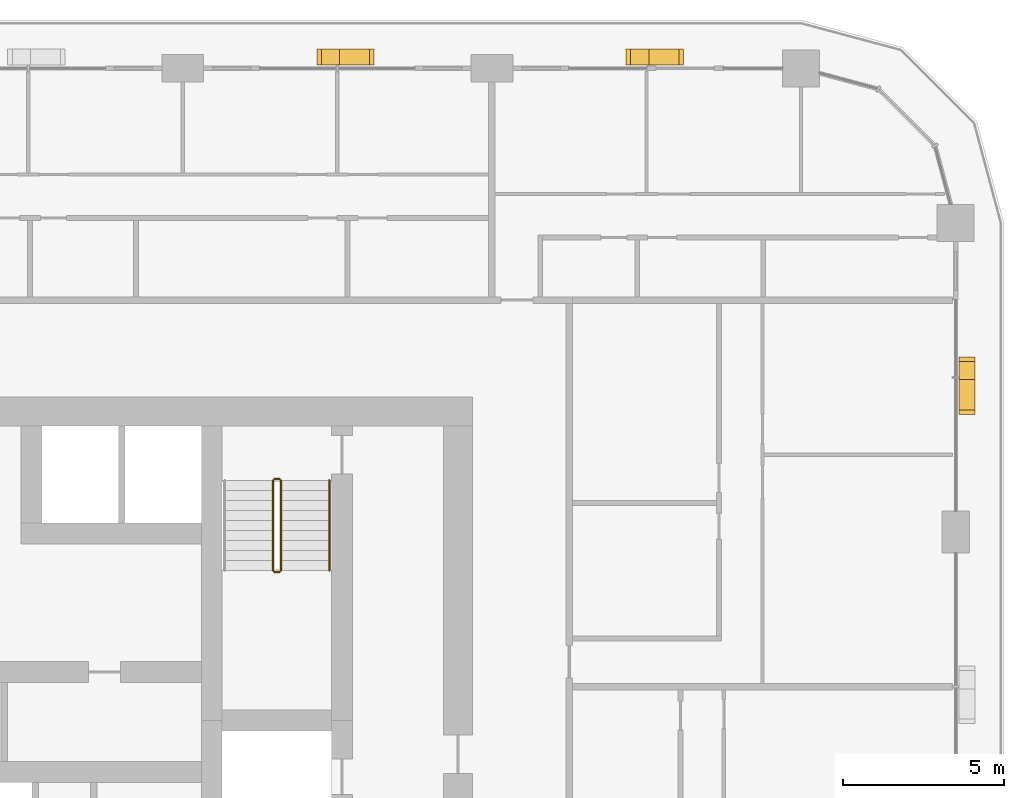
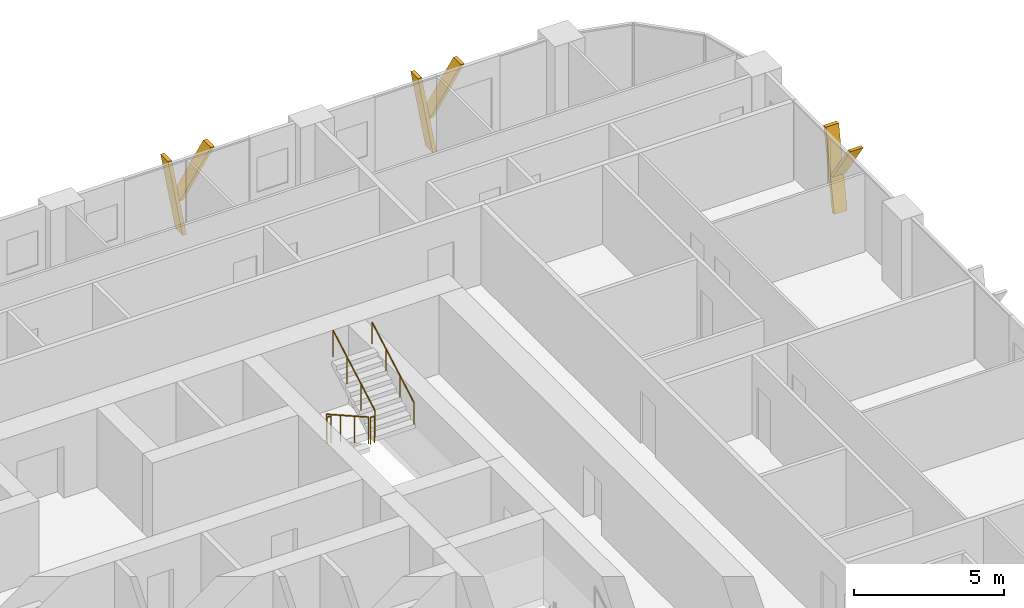
# One storey, part 22 of 22: 6 shading devices, 5 railings.
"""IFC4 building model written with IfcOpenShell, lengths in metres."""

import ifcopenshell
import ifcopenshell.guid

model = None  # the IFC model being written
_history = None  # IfcOwnerHistory: only IFC2X3 demands one
_inside = {}  # id of a spatial element -> (the spatial element, [elements in it])
_under = {}  # id of a project, library or spatial element -> (it, [spatial elements below it])
_declared = {}  # id of a project -> (the project, [libraries it declares])
_typed = {}  # id of a type object -> (the type object, [elements of that type])
_made_of = {}  # id of a material, layer set ... -> (it, [elements and type objects made of it])


def new_model(schema):
    """Start an empty IFC model of exactly this schema.

    Asked for "IFC4X3", IfcOpenShell would pick the latest addendum, in which some entities
    have other attributes; the version numbers below select the first issue.
    IFC2X3 requires an IfcOwnerHistory on every rooted entity: one is made here for all.
    """
    global model, _history
    if schema == "IFC4X3":
        model = ifcopenshell.file(schema_version=(4, 3, 0, 0))
    else:
        model = ifcopenshell.file(schema=schema)
    _inside.clear()
    _under.clear()
    _declared.clear()
    _typed.clear()
    _made_of.clear()
    _history = None
    if model.schema == "IFC2X3":
        org = make("IfcOrganization", Name="unknown")
        user = make(
            "IfcPersonAndOrganization",
            ThePerson=make("IfcPerson", FamilyName="unknown"),
            TheOrganization=org,
        )
        app = make(
            "IfcApplication",
            ApplicationDeveloper=org,
            Version="unknown",
            ApplicationFullName="unknown",
            ApplicationIdentifier="unknown",
        )
        _history = make(
            "IfcOwnerHistory",
            OwningUser=user,
            OwningApplication=app,
            ChangeAction="ADDED",
            CreationDate=0,
        )
    return model


def make(cls, **values):
    """One entity of the class cls with the attributes given. An attribute that is None is left unset."""
    return model.create_entity(
        cls, **{name: value for name, value in values.items() if value is not None}
    )


def rooted(cls, **values):
    """An entity with a GlobalId (a new one), such as an element, a storey or a relation."""
    return make(cls, GlobalId=ifcopenshell.guid.new(), OwnerHistory=_history, **values)


def si_unit(unit_type, name, prefix=None):
    """IfcSIUnit, for example si_unit("LENGTHUNIT", "METRE", prefix="MILLI")."""
    return make("IfcSIUnit", UnitType=unit_type, Prefix=prefix, Name=name)


def assignment(units):
    """IfcUnitAssignment: the units of a project."""
    return None if units is None else make("IfcUnitAssignment", Units=units)


def point(xyz):
    """IfcCartesianPoint."""
    return None if xyz is None else make("IfcCartesianPoint", Coordinates=xyz)


def direction(xyz):
    """IfcDirection."""
    return None if xyz is None else make("IfcDirection", DirectionRatios=xyz)


def frame(location, z_axis=None, x_axis=None):
    """IfcAxis2Placement3D, a coordinate frame: its origin and axes. An axis left out is left unset."""
    return make(
        "IfcAxis2Placement3D",
        Location=point(location),
        Axis=direction(z_axis),
        RefDirection=direction(x_axis),
    )


def frame_2d(location, x_axis=None):
    """IfcAxis2Placement2D, a coordinate frame in the plane: its origin and x axis."""
    return make(
        "IfcAxis2Placement2D", Location=point(location), RefDirection=direction(x_axis)
    )


def origin():
    """The frame at (0, 0, 0) with its axes left unset."""
    return frame((0.0, 0.0, 0.0))


def origin_2d():
    """The frame at (0, 0) in the plane with its x axis left unset."""
    return frame_2d((0.0, 0.0))


def place(relative_to, where):
    """IfcLocalPlacement: puts the frame where relative to a parent placement (None: the world)."""
    return make(
        "IfcLocalPlacement", PlacementRelTo=relative_to, RelativePlacement=where
    )


def context(
    kind, dimensions, precision=None, world=None, true_north=None, identifier=None
):
    """IfcGeometricRepresentationContext, for example the 3D "Model" context."""
    return make(
        "IfcGeometricRepresentationContext",
        ContextIdentifier=identifier,
        ContextType=kind,
        CoordinateSpaceDimension=dimensions,
        Precision=precision,
        WorldCoordinateSystem=world,
        TrueNorth=true_north,
    )


def subcontext(parent, identifier, kind, view, scale=None):
    """IfcGeometricRepresentationSubContext, for example "Body" below "Model"."""
    return make(
        "IfcGeometricRepresentationSubContext",
        ContextIdentifier=identifier,
        ContextType=kind,
        ParentContext=parent,
        TargetScale=scale,
        TargetView=view,
    )


def project(units=None, contexts=None):
    """IfcProject with its units and contexts."""
    return rooted(
        "IfcProject",
        Name="project",
        RepresentationContexts=contexts,
        UnitsInContext=assignment(units),
    )


def spatial(cls, under=None, at=None, **own):
    """A site, building, storey or space (cls), placed at a placement, below another one or the project."""
    s = rooted(cls, ObjectPlacement=at, **own)
    if under is not None:
        _under.setdefault(under.id(), (under, []))[1].append(s)
    return s


def polyline(points):
    """IfcPolyline through the points."""
    return make("IfcPolyline", Points=[point(p) for p in points])


def profile(cls, at=None, kind="AREA", **sizes):
    """A parametric profile (cls). Its sizes go by their IFC names, for example OverallWidth=200.0."""
    return make(cls, ProfileType=kind, Position=at, **sizes)


def circle(**sizes):
    """IfcCircleProfileDef."""
    return profile("IfcCircleProfileDef", **sizes)


def outline(outer, holes=None, kind="AREA"):
    """IfcArbitraryClosedProfileDef: a profile drawn as a closed curve; with holes, ...WithVoids."""
    if holes is None:
        return make("IfcArbitraryClosedProfileDef", ProfileType=kind, OuterCurve=outer)
    return make(
        "IfcArbitraryProfileDefWithVoids",
        ProfileType=kind,
        OuterCurve=outer,
        InnerCurves=holes,
    )


def extrude(swept, where, along, depth):
    """IfcExtrudedAreaSolid: the profile swept, set in the frame where, extruded along a direction by depth."""
    return make(
        "IfcExtrudedAreaSolid",
        SweptArea=swept,
        Position=where,
        ExtrudedDirection=direction(along),
        Depth=depth,
    )


def shape(context_of_items, identifier, shape_type, items):
    """IfcShapeRepresentation: the items that make up one representation, for example the "Body"."""
    return make(
        "IfcShapeRepresentation",
        ContextOfItems=context_of_items,
        RepresentationIdentifier=identifier,
        RepresentationType=shape_type,
        Items=items,
    )


def material(Name=None, Category=None):
    """IfcMaterial."""
    return make("IfcMaterial", Name=Name, Category=Category)


def made_of(thing, what):
    """Note that an element or type object is made of a material, layer set ...; save() writes the relation."""
    if what is not None:
        _made_of.setdefault(what.id(), (what, []))[1].append(thing)
    return thing


def type_object(cls, material=None, **own):
    """A type object (cls), such as IfcWallType, which elements share."""
    return made_of(rooted(cls, **own), material)


def element(
    cls,
    number,
    at=None,
    inside=None,
    cuts=None,
    type_object=None,
    material=None,
    context=None,
    identifier="Body",
    shape_type=None,
    held_by="IfcProductDefinitionShape",
    body=None,
    shapes=None,
    **own,
):
    """One element of the class cls, such as IfcWall. Its Tag is "e" and its number.

    at: its placement. inside: the storey or other place that contains it. cuts: it is an
    opening in that element (IfcRelVoidsElement). A single representation is given by context,
    identifier, shape_type and body (its items); several are given by shapes. held_by: the class
    of the entity that holds the representations. save() writes the other relations.
    """
    e = rooted(cls, Tag="e%d" % number, ObjectPlacement=at, **own)
    if body is not None:
        shapes = [shape(context, identifier, shape_type, body)]
    if shapes is not None:
        e.Representation = make(held_by, Representations=shapes)
    if inside is not None:
        _inside.setdefault(inside.id(), (inside, []))[1].append(e)
    if cuts is not None:
        rooted(
            "IfcRelVoidsElement", RelatingBuildingElement=cuts, RelatedOpeningElement=e
        )
    if type_object is not None:
        _typed.setdefault(type_object.id(), (type_object, []))[1].append(e)
    return made_of(e, material)


def aggregate(whole, parts):
    """IfcRelAggregates: a whole, such as a stair, and the parts it consists of."""
    return rooted("IfcRelAggregates", RelatingObject=whole, RelatedObjects=parts)


def save(model, path):
    """Write the relations noted so far, then the file.

    IfcRelAggregates (storeys below a building ...), IfcRelContainedInSpatialStructure (elements
    in a storey), IfcRelDefinesByType, IfcRelAssociatesMaterial and IfcRelDeclares: one each for
    every whole, place, type object, material and project.
    """
    for whole, parts in _under.values():
        aggregate(whole, parts)
    for where, things in _inside.values():
        rooted(
            "IfcRelContainedInSpatialStructure",
            RelatedElements=things,
            RelatingStructure=where,
        )
    for kind, things in _typed.values():
        rooted("IfcRelDefinesByType", RelatedObjects=things, RelatingType=kind)
    for what, things in _made_of.values():
        rooted("IfcRelAssociatesMaterial", RelatedObjects=things, RelatingMaterial=what)
    for by, libraries in _declared.values():
        rooted("IfcRelDeclares", RelatingContext=by, RelatedDefinitions=libraries)
    model.write(path)


model = new_model("IFC4")

# Units and contexts
model_context = context("Model", 3, precision=1e-05, world=origin(), true_north=direction((0.0, 1.0)))
body_context = subcontext(model_context, "Body", "Model", "MODEL_VIEW")
ifc_project = project(units=[si_unit("LENGTHUNIT", "METRE"), si_unit("AREAUNIT", "SQUARE_METRE"), si_unit("VOLUMEUNIT", "CUBIC_METRE"), si_unit("PLANEANGLEUNIT", "RADIAN"), si_unit("MASSUNIT", "GRAM", prefix="KILO")], contexts=[model_context])

# Site, building, storey
site_placement = place(None, origin())
site = spatial("IfcSite", under=ifc_project, at=site_placement, CompositionType="ELEMENT")
building_placement = place(site_placement, origin())
building = spatial("IfcBuilding", under=site, at=building_placement, Name="Madar Terraces", CompositionType="ELEMENT")
storey_placement = place(building_placement, frame((0.0, 0.0, 66.300048828125)))
storey = spatial("IfcBuildingStorey", under=building, at=storey_placement, Name="L16", CompositionType="ELEMENT", Elevation=66.300048828125)

# Shading devices
ifc_material_1 = material(Name="Aluminium, black anodised", Category="aluminium")
shading_device_type = type_object("IfcShadingDeviceType", Name="Facade fin blade 140 x 500", PredefinedType="USERDEFINED", material=ifc_material_1)
shading_device_1_placement = place(storey_placement, frame((62.75, 38.330078125, 0.0), z_axis=(0.0, 0.0, 1.0), x_axis=(0.0, 1.0, 0.0)))
element("IfcShadingDevice", 1, at=shading_device_1_placement, inside=storey, type_object=shading_device_type, Name="FIN L16 E4", ObjectType="FIN", PredefinedType="USERDEFINED", context=body_context, shape_type="SweptSolid", body=[
    extrude(outline(polyline([(0.0, 0.0), (0.139892578125, 0.0), (0.704345703125, 3.199951171875), (0.564208984375, 3.199951171875), (0.0, 0.0)])), frame((0.0, 0.25, 0.0), z_axis=(0.0, -1.0, 0.0), x_axis=(1.0, 0.0, 0.0)), (0.0, 0.0, 1.0), 0.5),
])
shading_device_2_placement = place(storey_placement, frame((62.75, 38.44384765625, 1.43994140625), z_axis=(0.0, 0.0, 1.0), x_axis=(0.0, 1.0, 0.0)))
element("IfcShadingDevice", 2, at=shading_device_2_placement, inside=storey, type_object=shading_device_type, Name="FIN L16 E4 branch", ObjectType="FIN", PredefinedType="USERDEFINED", context=body_context, shape_type="SweptSolid", body=[
    extrude(outline(polyline([(0.0, 0.0), (0.14013671875, 0.0), (-1.049560546875, 1.760009765625), (-1.189697265625, 1.760009765625), (0.0, 0.0)])), frame((0.0, 0.25, 0.0), z_axis=(0.0, -1.0, 0.0), x_axis=(1.0, 0.0, 0.0)), (0.0, 0.0, 1.0), 0.5),
])
shading_device_3_placement = place(storey_placement, frame((52.8701171875, 48.35009765625, 0.0), z_axis=(0.0, 0.0, 1.0), x_axis=(-1.0, 0.0, 0.0)))
element("IfcShadingDevice", 3, at=shading_device_3_placement, inside=storey, type_object=shading_device_type, Name="FIN L16 N1", ObjectType="FIN", PredefinedType="USERDEFINED", context=body_context, shape_type="SweptSolid", body=[
    extrude(outline(polyline([(0.0, 0.0), (0.14013671875, 0.0), (0.704345703125, 3.199951171875), (0.564208984375, 3.199951171875), (0.0, 0.0)])), frame((0.0, 0.25, 0.0), z_axis=(0.0, -1.0, 0.0), x_axis=(1.0, 0.0, 0.0)), (0.0, 0.0, 1.0), 0.5),
])
shading_device_4_placement = place(storey_placement, frame((52.756103515625, 48.35009765625, 1.43994140625), z_axis=(0.0, 0.0, 1.0), x_axis=(-1.0, 0.0, 0.0)))
element("IfcShadingDevice", 4, at=shading_device_4_placement, inside=storey, type_object=shading_device_type, Name="FIN L16 N1 branch", ObjectType="FIN", PredefinedType="USERDEFINED", context=body_context, shape_type="SweptSolid", body=[
    extrude(outline(polyline([(0.0, 0.0), (0.139892578125, 0.0), (-1.049560546875, 1.760009765625), (-1.189697265625, 1.760009765625), (0.0, 0.0)])), frame((0.0, 0.25, 0.0), z_axis=(0.0, -1.0, 0.0), x_axis=(1.0, 0.0, 0.0)), (0.0, 0.0, 1.0), 0.5),
])
shading_device_5_placement = place(storey_placement, frame((43.27001953125, 48.35009765625, 0.0), z_axis=(0.0, 0.0, 1.0), x_axis=(-1.0, 0.0, 0.0)))
element("IfcShadingDevice", 5, at=shading_device_5_placement, inside=storey, type_object=shading_device_type, Name="FIN L16 N2", ObjectType="FIN", PredefinedType="USERDEFINED", context=body_context, shape_type="SweptSolid", body=[
    extrude(outline(polyline([(0.0, 0.0), (0.14013671875, 0.0), (0.704345703125, 3.199951171875), (0.564208984375, 3.199951171875), (0.0, 0.0)])), frame((0.0, 0.25, 0.0), z_axis=(0.0, -1.0, 0.0), x_axis=(1.0, 0.0, 0.0)), (0.0, 0.0, 1.0), 0.5),
])
shading_device_6_placement = place(storey_placement, frame((43.156005859375, 48.35009765625, 1.43994140625), z_axis=(0.0, 0.0, 1.0), x_axis=(-1.0, 0.0, 0.0)))
element("IfcShadingDevice", 6, at=shading_device_6_placement, inside=storey, type_object=shading_device_type, Name="FIN L16 N2 branch", ObjectType="FIN", PredefinedType="USERDEFINED", context=body_context, shape_type="SweptSolid", body=[
    extrude(outline(polyline([(0.0, 0.0), (0.139892578125, 0.0), (-1.049560546875, 1.760009765625), (-1.189697265625, 1.760009765625), (0.0, 0.0)])), frame((0.0, 0.25, 0.0), z_axis=(0.0, -1.0, 0.0), x_axis=(1.0, 0.0, 0.0)), (0.0, 0.0, 1.0), 0.5),
])

# Railings
ifc_material_2 = material(Name="Stainless steel railing", Category="steel")
railing_type_1 = type_object("IfcRailingType", Name="Stair guard 1100", PredefinedType="GUARDRAIL", material=ifc_material_2)
railing_1_placement = place(storey_placement, frame((41.199951171875, 35.199951171875, 0.175048828125)))
element("IfcRailing", 7, at=railing_1_placement, inside=storey, type_object=railing_type_1, Name="L16 ST2 stair guard 1", PredefinedType="GUARDRAIL", context=body_context, shape_type="SweptSolid", body=[
    extrude(circle(Radius=0.02392578125, at=origin_2d()), frame((0.0, 0.0, 1.076171875), z_axis=(0.0, -0.870833779661, 0.491577591232), x_axis=(1.0, 0.0, 0.0)), (0.0, 0.0, 1.0), 3.203857421875),
    extrude(circle(Radius=0.02099609375, at=origin_2d()), origin(), (0.0, 0.0, 1.0), 1.052001953125),
    extrude(circle(Radius=0.02099609375, at=origin_2d()), frame((0.0, -0.929931640625, 0.52490234375)), (0.0, 0.0, 1.0), 1.052001953125),
    extrude(circle(Radius=0.02099609375, at=origin_2d()), frame((0.0, -1.860107421875, 1.050048828125)), (0.0, 0.0, 1.0), 1.052001953125),
    extrude(circle(Radius=0.02099609375, at=origin_2d()), frame((0.0, -2.7900390625, 1.574951171875)), (0.0, 0.0, 1.0), 1.052001953125),
])
railing_2_placement = place(storey_placement, frame((41.25, 32.360107421875, 1.75)))
element("IfcRailing", 8, at=railing_2_placement, inside=storey, type_object=railing_type_1, Name="L16 ST2 stair guard 2", PredefinedType="GUARDRAIL", context=body_context, shape_type="SweptSolid", body=[
    extrude(circle(Radius=0.02392578125, at=origin_2d()), frame((0.0, 0.0, 1.076171875), z_axis=(1.0, 0.0, 0.0), x_axis=(0.0, 1.0, 0.0)), (0.0, 0.0, 1.0), 0.14990234375),
    extrude(circle(Radius=0.02099609375, at=origin_2d()), origin(), (0.0, 0.0, 1.0), 1.052001953125),
    extrude(circle(Radius=0.02099609375, at=origin_2d()), frame((0.14990234375, 0.0, 0.0)), (0.0, 0.0, 1.0), 1.052001953125),
])
railing_3_placement = place(storey_placement, frame((41.449951171875, 32.409912109375, 1.925048828125)))
element("IfcRailing", 9, at=railing_3_placement, inside=storey, type_object=railing_type_1, Name="L16 ST2 stair guard 3", PredefinedType="GUARDRAIL", context=body_context, shape_type="SweptSolid", body=[
    extrude(circle(Radius=0.02392578125, at=origin_2d()), frame((0.0, 0.0, 1.076171875), z_axis=(0.0, 0.870833779661, 0.491577591232), x_axis=(-1.0, 0.0, 0.0)), (0.0, 0.0, 1.0), 3.203857421875),
    extrude(circle(Radius=0.02099609375, at=origin_2d()), origin(), (0.0, 0.0, 1.0), 1.052001953125),
    extrude(circle(Radius=0.02099609375, at=origin_2d()), frame((0.0, 0.929931640625, 0.52490234375)), (0.0, 0.0, 1.0), 1.052001953125),
    extrude(circle(Radius=0.02099609375, at=origin_2d()), frame((0.0, 1.860107421875, 1.050048828125)), (0.0, 0.0, 1.0), 1.052001953125),
    extrude(circle(Radius=0.02099609375, at=origin_2d()), frame((0.0, 2.7900390625, 1.574951171875)), (0.0, 0.0, 1.0), 1.052001953125),
])
railing_4_placement = place(storey_placement, frame((41.25, 35.25, 0.0)))
element("IfcRailing", 10, at=railing_4_placement, inside=storey, type_object=railing_type_1, Name="L16 ST2 stair guard 4", PredefinedType="GUARDRAIL", context=body_context, shape_type="SweptSolid", body=[
    extrude(circle(Radius=0.02392578125, at=origin_2d()), frame((0.0, 0.0, 1.076171875), z_axis=(1.0, 0.0, 0.0), x_axis=(0.0, 1.0, 0.0)), (0.0, 0.0, 1.0), 0.14990234375),
    extrude(circle(Radius=0.02099609375, at=origin_2d()), origin(), (0.0, 0.0, 1.0), 1.052001953125),
    extrude(circle(Radius=0.02099609375, at=origin_2d()), frame((0.14990234375, 0.0, 0.0)), (0.0, 0.0, 1.0), 1.052001953125),
])
ifc_material_3 = material(Name="Stainless steel railing", Category="steel")
railing_type_2 = type_object("IfcRailingType", Name="Stair handrail 900", PredefinedType="HANDRAIL", material=ifc_material_3)
railing_5_placement = place(storey_placement, frame((42.949951171875, 32.409912109375, 1.925048828125)))
element("IfcRailing", 11, at=railing_5_placement, inside=storey, type_object=railing_type_2, Name="L16 ST2 stair handrail 2", PredefinedType="HANDRAIL", context=body_context, shape_type="SweptSolid", body=[
    extrude(circle(Radius=0.02392578125, at=origin_2d()), frame((0.0, 0.0, 0.8759765625), z_axis=(0.0, 0.870833779661, 0.491577591232), x_axis=(-1.0, 0.0, 0.0)), (0.0, 0.0, 1.0), 3.203857421875),
    extrude(circle(Radius=0.02099609375, at=origin_2d()), origin(), (0.0, 0.0, 1.0), 0.851806640625),
    extrude(circle(Radius=0.02099609375, at=origin_2d()), frame((0.0, 0.929931640625, 0.52490234375)), (0.0, 0.0, 1.0), 0.851806640625),
    extrude(circle(Radius=0.02099609375, at=origin_2d()), frame((0.0, 1.860107421875, 1.050048828125)), (0.0, 0.0, 1.0), 0.851806640625),
    extrude(circle(Radius=0.02099609375, at=origin_2d()), frame((0.0, 2.7900390625, 1.574951171875)), (0.0, 0.0, 1.0), 0.851806640625),
])

save(model, "model.ifc")
